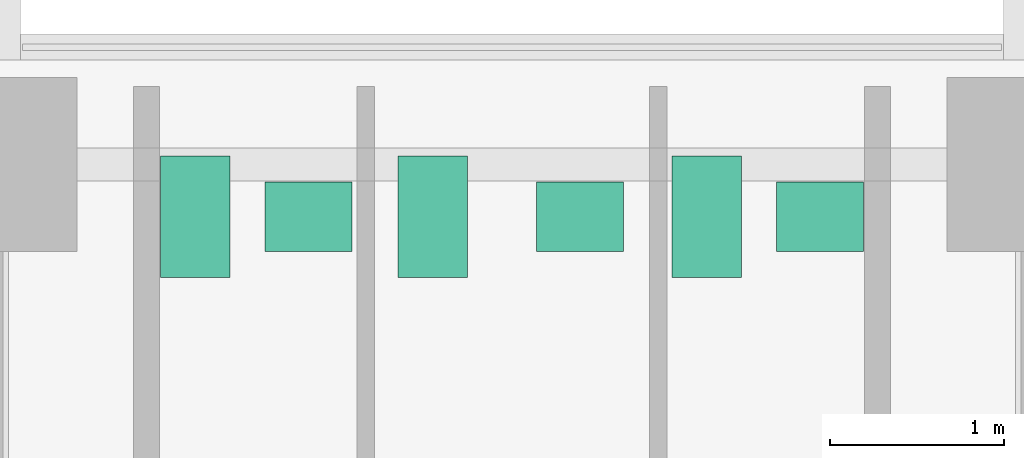
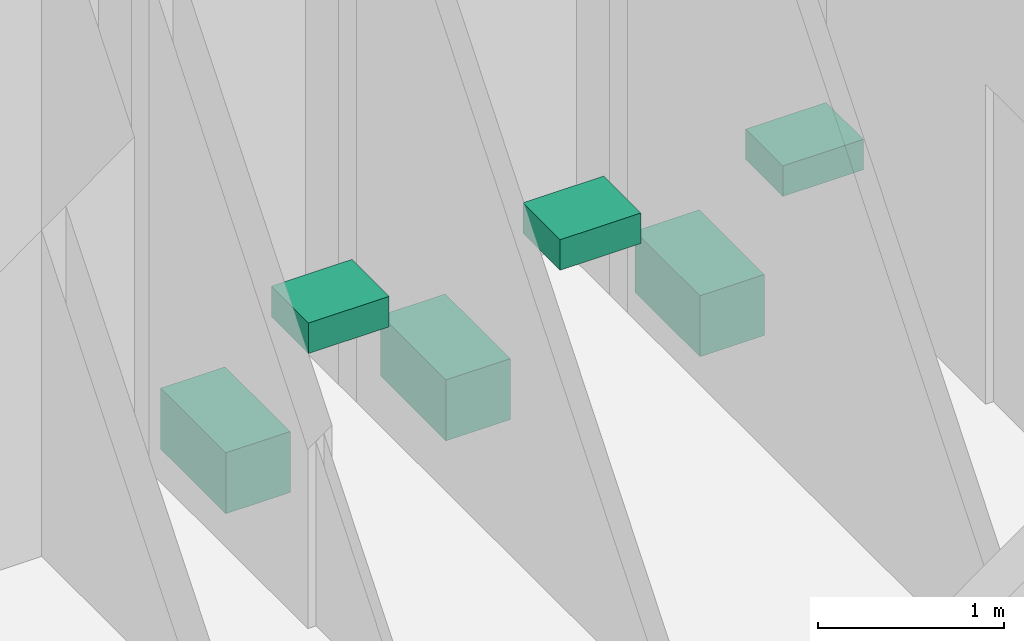
# One storey, part 11 of 11: 6 sanitary terminals.
"""IFC4 building model written with IfcOpenShell, lengths in metres."""

from ifc_helpers import new_model, si_unit, direction, frame, origin, origin_2d, place, context, subcontext, project, spatial, rectangle, extrude, element, save


model = new_model("IFC4")

# Units and contexts
model_context = context("Model", 3, precision=1e-05, world=origin(), true_north=direction((0.0, 1.0)))
body_context = subcontext(model_context, "Body", "Model", "MODEL_VIEW")
ifc_project = project(units=[si_unit("LENGTHUNIT", "METRE"), si_unit("AREAUNIT", "SQUARE_METRE"), si_unit("VOLUMEUNIT", "CUBIC_METRE"), si_unit("PLANEANGLEUNIT", "RADIAN"), si_unit("MASSUNIT", "GRAM", prefix="KILO")], contexts=[model_context])

# Site, building, storey
site_placement = place(None, origin())
site = spatial("IfcSite", under=ifc_project, at=site_placement, CompositionType="ELEMENT")
building_placement = place(site_placement, origin())
building = spatial("IfcBuilding", under=site, at=building_placement, Name="Amberfall Residences", CompositionType="ELEMENT")
storey_placement = place(building_placement, frame((0.0, 0.0, 150.39990234375)))
storey = spatial("IfcBuildingStorey", under=building, at=storey_placement, Name="L40", CompositionType="ELEMENT", Elevation=150.39990234375)

# Sanitary terminals
sanitary_terminal_1_placement = place(storey_placement, frame((66.780029296875, 67.10009765625, 0.000244140625), z_axis=(0.0, 0.0, 1.0), x_axis=(1.0, 0.0, 0.0)))
element("IfcSanitaryTerminal", 1, at=sanitary_terminal_1_placement, inside=storey, Name="WC pan Gents WC L40", PredefinedType="TOILETPAN", context=body_context, shape_type="SweptSolid", body=[
    extrude(rectangle(XDim=0.39990234375, YDim=0.699951171875, at=origin_2d()), origin(), (0.0, 0.0, 1.0), 0.39990234375),
])
sanitary_terminal_2_placement = place(storey_placement, frame((67.429931640625, 67.10009765625, 0.75), z_axis=(0.0, 0.0, 1.0), x_axis=(1.0, 0.0, 0.0)))
element("IfcSanitaryTerminal", 2, at=sanitary_terminal_2_placement, inside=storey, Name="Wash basin Gents WC L40", PredefinedType="WASHHANDBASIN", context=body_context, shape_type="SweptSolid", body=[
    extrude(rectangle(XDim=0.5, YDim=0.39990234375, at=origin_2d()), origin(), (0.0, 0.0, 1.0), 0.199951171875),
])
sanitary_terminal_3_placement = place(storey_placement, frame((68.14501953125, 67.10009765625, 0.000244140625), z_axis=(0.0, 0.0, 1.0), x_axis=(1.0, 0.0, 0.0)))
element("IfcSanitaryTerminal", 3, at=sanitary_terminal_3_placement, inside=storey, Name="WC pan Accessible WC L40", PredefinedType="TOILETPAN", context=body_context, shape_type="SweptSolid", body=[
    extrude(rectangle(XDim=0.39990234375, YDim=0.699951171875, at=origin_2d()), origin(), (0.0, 0.0, 1.0), 0.39990234375),
])
sanitary_terminal_4_placement = place(storey_placement, frame((68.989990234375, 67.10009765625, 0.75), z_axis=(0.0, 0.0, 1.0), x_axis=(1.0, 0.0, 0.0)))
element("IfcSanitaryTerminal", 4, at=sanitary_terminal_4_placement, inside=storey, Name="Wash basin Accessible WC L40", PredefinedType="WASHHANDBASIN", context=body_context, shape_type="SweptSolid", body=[
    extrude(rectangle(XDim=0.5, YDim=0.39990234375, at=origin_2d()), origin(), (0.0, 0.0, 1.0), 0.199951171875),
])
sanitary_terminal_5_placement = place(storey_placement, frame((69.719970703125, 67.10009765625, 0.000244140625), z_axis=(0.0, 0.0, 1.0), x_axis=(1.0, 0.0, 0.0)))
element("IfcSanitaryTerminal", 5, at=sanitary_terminal_5_placement, inside=storey, Name="WC pan Ladies WC L40", PredefinedType="TOILETPAN", context=body_context, shape_type="SweptSolid", body=[
    extrude(rectangle(XDim=0.39990234375, YDim=0.699951171875, at=origin_2d()), origin(), (0.0, 0.0, 1.0), 0.39990234375),
])
sanitary_terminal_6_placement = place(storey_placement, frame((70.3701171875, 67.10009765625, 0.75), z_axis=(0.0, 0.0, 1.0), x_axis=(1.0, 0.0, 0.0)))
element("IfcSanitaryTerminal", 6, at=sanitary_terminal_6_placement, inside=storey, Name="Wash basin Ladies WC L40", PredefinedType="WASHHANDBASIN", context=body_context, shape_type="SweptSolid", body=[
    extrude(rectangle(XDim=0.5, YDim=0.39990234375, at=origin_2d()), origin(), (0.0, 0.0, 1.0), 0.199951171875),
])

save(model, "model.ifc")
